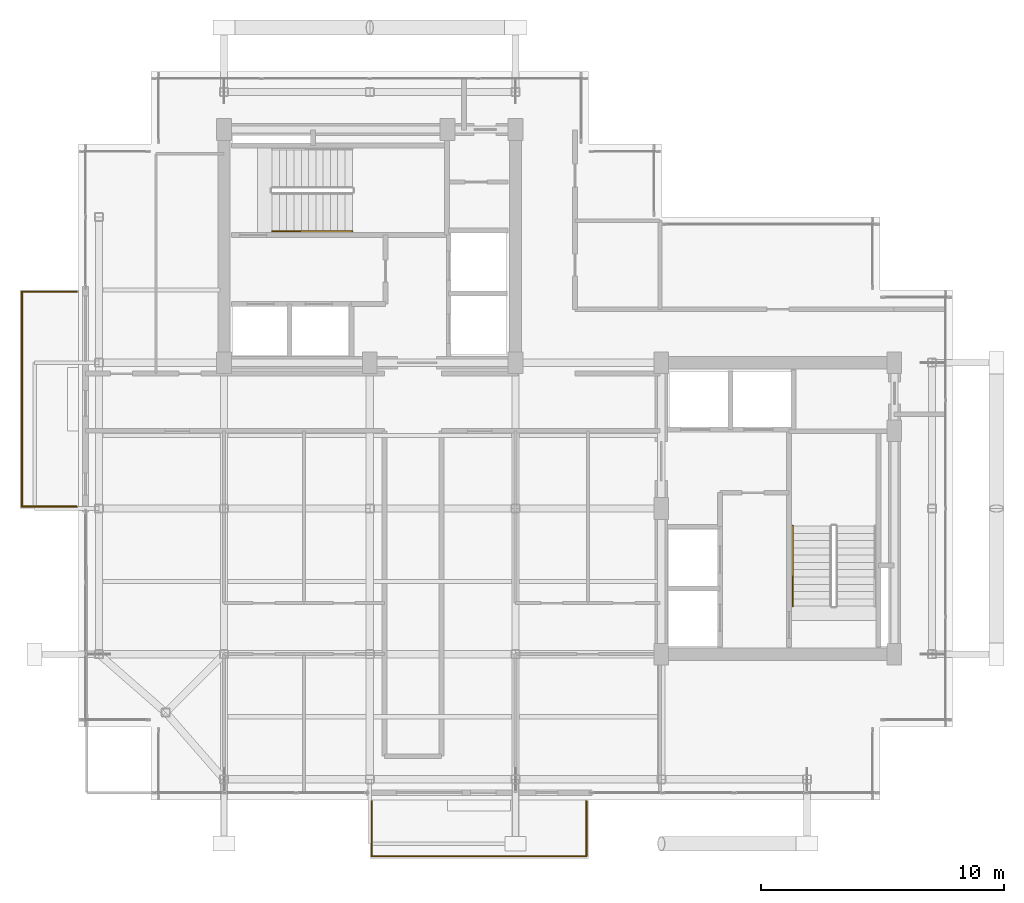
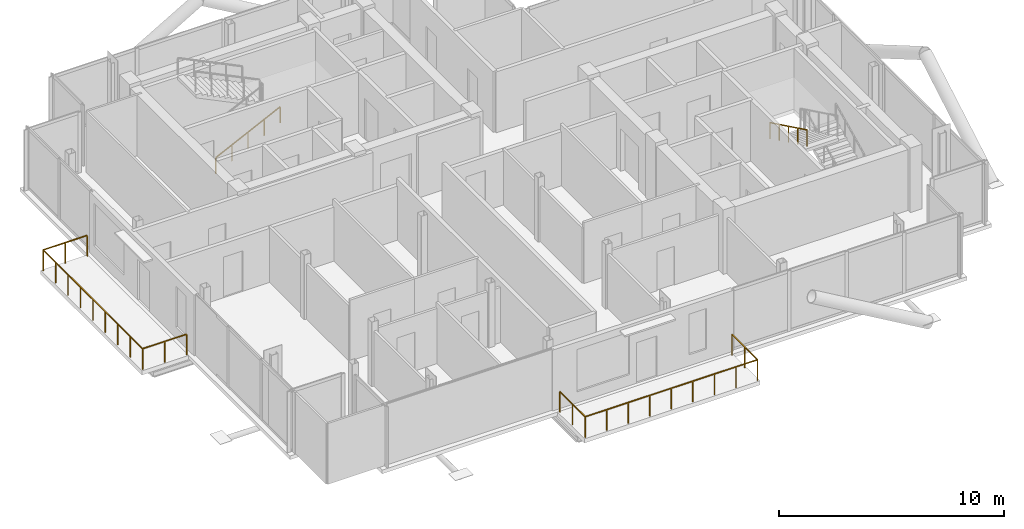
# One storey, part 17 of 18: 4 railings.
"""IFC4 building model written with IfcOpenShell, lengths in metres."""

from ifc_helpers import new_model, si_unit, direction, frame, origin, origin_2d, place, context, subcontext, project, spatial, rectangle, extrude, material, type_object, element, save


model = new_model("IFC4")

# Units and contexts
model_context = context("Model", 3, precision=1e-05, world=origin(), true_north=direction((0.0, 1.0)))
body_context = subcontext(model_context, "Body", "Model", "MODEL_VIEW")
ifc_project = project(units=[si_unit("LENGTHUNIT", "METRE"), si_unit("AREAUNIT", "SQUARE_METRE"), si_unit("VOLUMEUNIT", "CUBIC_METRE"), si_unit("PLANEANGLEUNIT", "RADIAN"), si_unit("MASSUNIT", "GRAM", prefix="KILO"), si_unit("THERMODYNAMICTEMPERATUREUNIT", "KELVIN"), si_unit("POWERUNIT", "WATT")], contexts=[model_context])

# Site, building, storey
site_placement = place(None, origin())
site = spatial("IfcSite", under=ifc_project, at=site_placement, CompositionType="ELEMENT")
building_placement = place(site_placement, origin())
building = spatial("IfcBuilding", under=site, at=building_placement, Name="Svarakhadi Broadcast Tower", CompositionType="ELEMENT")
storey_placement = place(building_placement, frame((0.0, 0.0, 250.199951171875)))
storey = spatial("IfcBuildingStorey", under=building, at=storey_placement, Name="L62", CompositionType="ELEMENT", Elevation=250.199951171875)

# Railings
ifc_material_1 = material(Name="Laminated Structural SentryGlas Balustrade 25.5 mm", Category="glass")
railing_type_1 = type_object("IfcRailingType", Name="Guard_Balcony_GR01", PredefinedType="BALUSTRADE", material=ifc_material_1)
railing_1_placement = place(storey_placement, frame((12.080078125, -0.06005859375, 0.0)))
element("IfcRailing", 1, at=railing_1_placement, inside=storey, type_object=railing_type_1, Name="L62 South Tree Balcony Guard GR-05", PredefinedType="BALUSTRADE", context=body_context, shape_type="SweptSolid", body=[
    extrude(rectangle(XDim=0.048095703125, YDim=0.048095703125, at=origin_2d()), frame((0.0, 0.0, 1.1259765625), z_axis=(0.0, -1.0, 0.0), x_axis=(1.0, 0.0, 0.0)), (0.0, 0.0, 1.0), 2.260009765625),
    extrude(rectangle(XDim=0.048095703125, YDim=0.048095703125, at=origin_2d()), frame((0.0, -2.260009765625, 1.1259765625), z_axis=(1.0, 0.0, 0.0), x_axis=(0.0, 1.0, 0.0)), (0.0, 0.0, 1.0), 8.83984375),
    extrude(rectangle(XDim=0.048095703125, YDim=0.048095703125, at=origin_2d()), frame((8.83984375, -2.260009765625, 1.1259765625), z_axis=(0.0, 1.0, 0.0), x_axis=(-1.0, 0.0, 0.0)), (0.0, 0.0, 1.0), 2.260009765625),
    extrude(rectangle(XDim=0.0419921875, YDim=0.0419921875, at=origin_2d()), origin(), (0.0, 0.0, 1.0), 1.101806640625),
    extrude(rectangle(XDim=0.0419921875, YDim=0.0419921875, at=origin_2d()), frame((0.0, -1.1298828125, 0.0)), (0.0, 0.0, 1.0), 1.101806640625),
    extrude(rectangle(XDim=0.0419921875, YDim=0.0419921875, at=origin_2d()), frame((0.0, -2.260009765625, 0.0)), (0.0, 0.0, 1.0), 1.101806640625),
    extrude(rectangle(XDim=0.0419921875, YDim=0.0419921875, at=origin_2d()), frame((1.10498046875, -2.260009765625, 0.0)), (0.0, 0.0, 1.0), 1.101806640625),
    extrude(rectangle(XDim=0.0419921875, YDim=0.0419921875, at=origin_2d()), frame((2.2099609375, -2.260009765625, 0.0)), (0.0, 0.0, 1.0), 1.101806640625),
    extrude(rectangle(XDim=0.0419921875, YDim=0.0419921875, at=origin_2d()), frame((3.31494140625, -2.260009765625, 0.0)), (0.0, 0.0, 1.0), 1.101806640625),
    extrude(rectangle(XDim=0.0419921875, YDim=0.0419921875, at=origin_2d()), frame((4.419921875, -2.260009765625, 0.0)), (0.0, 0.0, 1.0), 1.101806640625),
    extrude(rectangle(XDim=0.0419921875, YDim=0.0419921875, at=origin_2d()), frame((5.52490234375, -2.260009765625, 0.0)), (0.0, 0.0, 1.0), 1.101806640625),
    extrude(rectangle(XDim=0.0419921875, YDim=0.0419921875, at=origin_2d()), frame((6.6298828125, -2.260009765625, 0.0)), (0.0, 0.0, 1.0), 1.101806640625),
    extrude(rectangle(XDim=0.0419921875, YDim=0.0419921875, at=origin_2d()), frame((7.73486328125, -2.260009765625, 0.0)), (0.0, 0.0, 1.0), 1.101806640625),
    extrude(rectangle(XDim=0.0419921875, YDim=0.0419921875, at=origin_2d()), frame((8.83984375, -2.260009765625, 0.0)), (0.0, 0.0, 1.0), 1.101806640625),
    extrude(rectangle(XDim=0.0419921875, YDim=0.0419921875, at=origin_2d()), frame((8.83984375, -1.1298828125, 0.0)), (0.0, 0.0, 1.0), 1.101806640625),
    extrude(rectangle(XDim=0.0419921875, YDim=0.0419921875, at=origin_2d()), frame((8.83984375, 0.0, 0.0)), (0.0, 0.0, 1.0), 1.101806640625),
])
railing_2_placement = place(storey_placement, frame((-0.06005859375, 12.080078125, 0.0)))
element("IfcRailing", 2, at=railing_2_placement, inside=storey, type_object=railing_type_1, Name="L62 West Tree Balcony Guard GR-05", PredefinedType="BALUSTRADE", context=body_context, shape_type="SweptSolid", body=[
    extrude(rectangle(XDim=0.048095703125, YDim=0.048095703125, at=origin_2d()), frame((0.0, 0.0, 1.1259765625), z_axis=(-1.0, 0.0, 0.0), x_axis=(0.0, -1.0, 0.0)), (0.0, 0.0, 1.0), 2.260009765625),
    extrude(rectangle(XDim=0.048095703125, YDim=0.048095703125, at=origin_2d()), frame((-2.260009765625, 0.0, 1.1259765625), z_axis=(0.0, 1.0, 0.0), x_axis=(-1.0, 0.0, 0.0)), (0.0, 0.0, 1.0), 8.83984375),
    extrude(rectangle(XDim=0.048095703125, YDim=0.048095703125, at=origin_2d()), frame((-2.260009765625, 8.83984375, 1.1259765625), z_axis=(1.0, 0.0, 0.0), x_axis=(0.0, 1.0, 0.0)), (0.0, 0.0, 1.0), 2.260009765625),
    extrude(rectangle(XDim=0.0419921875, YDim=0.0419921875, at=origin_2d()), origin(), (0.0, 0.0, 1.0), 1.101806640625),
    extrude(rectangle(XDim=0.0419921875, YDim=0.0419921875, at=origin_2d()), frame((-1.1298828125, 0.0, 0.0)), (0.0, 0.0, 1.0), 1.101806640625),
    extrude(rectangle(XDim=0.0419921875, YDim=0.0419921875, at=origin_2d()), frame((-2.260009765625, 0.0, 0.0)), (0.0, 0.0, 1.0), 1.101806640625),
    extrude(rectangle(XDim=0.0419921875, YDim=0.0419921875, at=origin_2d()), frame((-2.260009765625, 1.10498046875, 0.0)), (0.0, 0.0, 1.0), 1.101806640625),
    extrude(rectangle(XDim=0.0419921875, YDim=0.0419921875, at=origin_2d()), frame((-2.260009765625, 2.2099609375, 0.0)), (0.0, 0.0, 1.0), 1.101806640625),
    extrude(rectangle(XDim=0.0419921875, YDim=0.0419921875, at=origin_2d()), frame((-2.260009765625, 3.31494140625, 0.0)), (0.0, 0.0, 1.0), 1.101806640625),
    extrude(rectangle(XDim=0.0419921875, YDim=0.0419921875, at=origin_2d()), frame((-2.260009765625, 4.419921875, 0.0)), (0.0, 0.0, 1.0), 1.101806640625),
    extrude(rectangle(XDim=0.0419921875, YDim=0.0419921875, at=origin_2d()), frame((-2.260009765625, 5.52490234375, 0.0)), (0.0, 0.0, 1.0), 1.101806640625),
    extrude(rectangle(XDim=0.0419921875, YDim=0.0419921875, at=origin_2d()), frame((-2.260009765625, 6.6298828125, 0.0)), (0.0, 0.0, 1.0), 1.101806640625),
    extrude(rectangle(XDim=0.0419921875, YDim=0.0419921875, at=origin_2d()), frame((-2.260009765625, 7.73486328125, 0.0)), (0.0, 0.0, 1.0), 1.101806640625),
    extrude(rectangle(XDim=0.0419921875, YDim=0.0419921875, at=origin_2d()), frame((-2.260009765625, 8.83984375, 0.0)), (0.0, 0.0, 1.0), 1.101806640625),
    extrude(rectangle(XDim=0.0419921875, YDim=0.0419921875, at=origin_2d()), frame((-1.1298828125, 8.83984375, 0.0)), (0.0, 0.0, 1.0), 1.101806640625),
    extrude(rectangle(XDim=0.0419921875, YDim=0.0419921875, at=origin_2d()), frame((0.0, 8.83984375, 0.0)), (0.0, 0.0, 1.0), 1.101806640625),
])
ifc_material_2 = material(Name="Anodised Bronze Aluminium AA 6063-T6", Category="aluminium")
railing_type_2 = type_object("IfcRailingType", Name="Handrail_Stair_HR01", PredefinedType="HANDRAIL", material=ifc_material_2)
railing_3_placement = place(storey_placement, frame((7.97998046875, 23.409912109375, 0.14599609375)))
element("IfcRailing", 3, at=railing_3_placement, inside=storey, type_object=railing_type_2, Name="L62 ST-01 stair handrail 1", PredefinedType="HANDRAIL", context=body_context, shape_type="SweptSolid", body=[
    extrude(rectangle(XDim=0.048095703125, YDim=0.048095703125, at=origin_2d()), frame((0.0, 0.0, 0.8759765625), z_axis=(0.899387838337, 0.0, 0.437151594131), x_axis=(0.0, 1.0, 0.0)), (0.0, 0.0, 1.0), 3.669189453125),
    extrude(rectangle(XDim=0.0419921875, YDim=0.0419921875, at=origin_2d()), origin(), (0.0, 0.0, 1.0), 0.851806640625),
    extrude(rectangle(XDim=0.0419921875, YDim=0.0419921875, at=origin_2d()), frame((0.824951171875, 0.0, 0.40087890625)), (0.0, 0.0, 1.0), 0.851806640625),
    extrude(rectangle(XDim=0.0419921875, YDim=0.0419921875, at=origin_2d()), frame((1.64990234375, 0.0, 0.802001953125)), (0.0, 0.0, 1.0), 0.851806640625),
    extrude(rectangle(XDim=0.0419921875, YDim=0.0419921875, at=origin_2d()), frame((2.47509765625, 0.0, 1.203125)), (0.0, 0.0, 1.0), 0.851806640625),
    extrude(rectangle(XDim=0.0419921875, YDim=0.0419921875, at=origin_2d()), frame((3.300048828125, 0.0, 1.60400390625)), (0.0, 0.0, 1.0), 0.851806640625),
])
railing_4_placement = place(storey_placement, frame((29.409912109375, 11.280029296875, 1.89599609375)))
element("IfcRailing", 4, at=railing_4_placement, inside=storey, type_object=railing_type_2, Name="L62 ST-02 stair handrail 2", PredefinedType="HANDRAIL", context=body_context, shape_type="SweptSolid", body=[
    extrude(rectangle(XDim=0.048095703125, YDim=0.048095703125, at=origin_2d()), frame((0.0, 0.0, 0.8759765625), z_axis=(0.0, -0.899387838337, 0.437151594131), x_axis=(1.0, 0.0, 0.0)), (0.0, 0.0, 1.0), 3.669189453125),
    extrude(rectangle(XDim=0.0419921875, YDim=0.0419921875, at=origin_2d()), origin(), (0.0, 0.0, 1.0), 0.851806640625),
    extrude(rectangle(XDim=0.0419921875, YDim=0.0419921875, at=origin_2d()), frame((0.0, -0.824951171875, 0.40087890625)), (0.0, 0.0, 1.0), 0.851806640625),
    extrude(rectangle(XDim=0.0419921875, YDim=0.0419921875, at=origin_2d()), frame((0.0, -1.64990234375, 0.802001953125)), (0.0, 0.0, 1.0), 0.851806640625),
    extrude(rectangle(XDim=0.0419921875, YDim=0.0419921875, at=origin_2d()), frame((0.0, -2.47509765625, 1.203125)), (0.0, 0.0, 1.0), 0.851806640625),
    extrude(rectangle(XDim=0.0419921875, YDim=0.0419921875, at=origin_2d()), frame((0.0, -3.300048828125, 1.60400390625)), (0.0, 0.0, 1.0), 0.851806640625),
])

save(model, "model.ifc")
